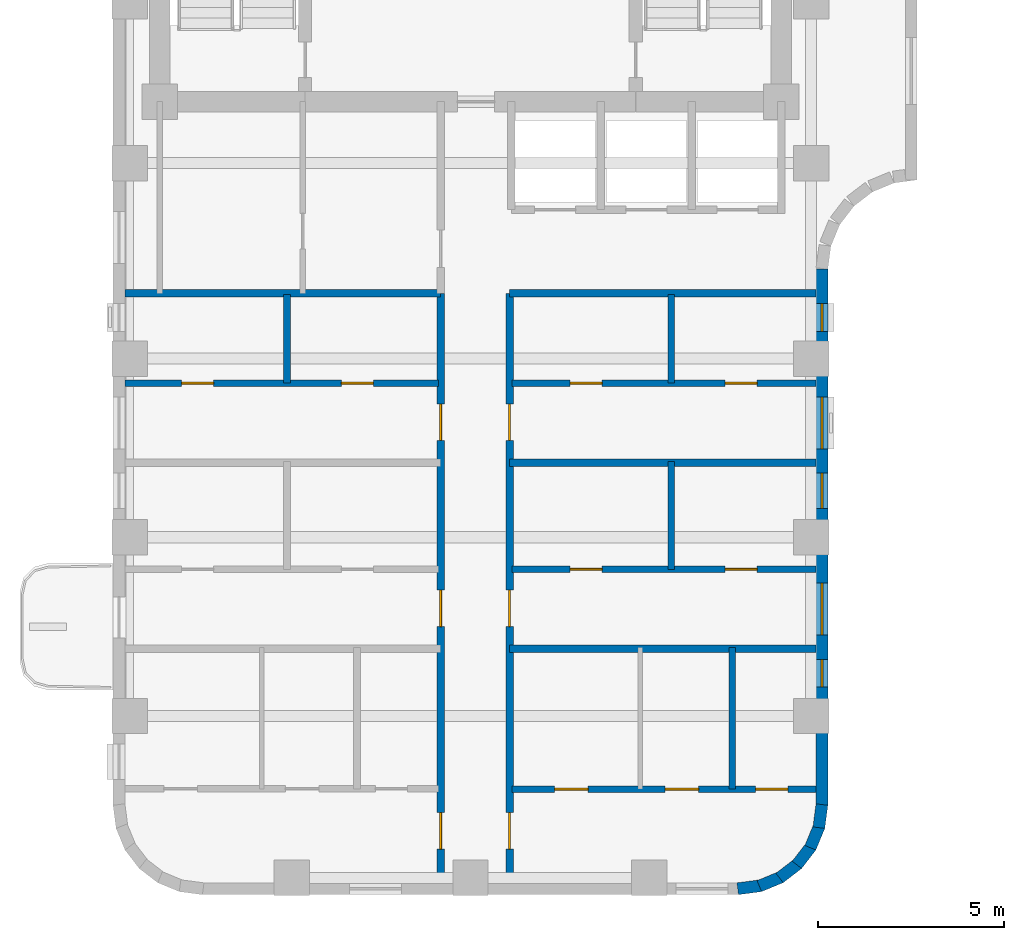
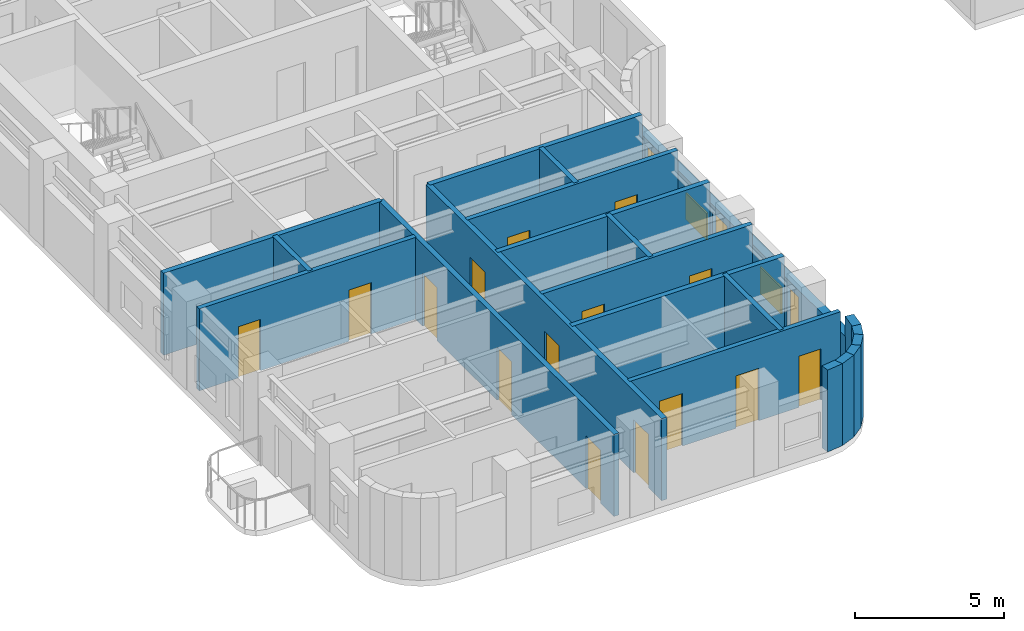
# One storey, part 4 of 11: 21 walls, 15 doors, 5 windows, 20 openings.
"""IFC4 building model written with IfcOpenShell, lengths in metres."""

from ifc_helpers import new_model, si_unit, direction, frame, frame_2d, origin, place, context, subcontext, project, spatial, rectangle, extrude, material, layer, layer_set, type_object, element, fill, save


model = new_model("IFC4")

# Units and contexts
model_context = context("Model", 3, precision=1e-05, world=origin(), true_north=direction((0.0, 1.0)))
body_context = subcontext(model_context, "Body", "Model", "MODEL_VIEW")
ifc_project = project(units=[si_unit("LENGTHUNIT", "METRE"), si_unit("AREAUNIT", "SQUARE_METRE"), si_unit("VOLUMEUNIT", "CUBIC_METRE"), si_unit("PLANEANGLEUNIT", "RADIAN"), si_unit("MASSUNIT", "GRAM", prefix="KILO")], contexts=[model_context])

# Site, building, storey
site_placement = place(None, origin())
site = spatial("IfcSite", under=ifc_project, at=site_placement, CompositionType="ELEMENT")
building_placement = place(site_placement, origin())
building = spatial("IfcBuilding", under=site, at=building_placement, Name="Orvandelia Arch Residences", CompositionType="ELEMENT")
storey_placement = place(building_placement, frame((0.0, 0.0, 164.800048828125)))
storey = spatial("IfcBuildingStorey", under=building, at=storey_placement, Name="L43", CompositionType="ELEMENT", Elevation=164.800048828125)

# Wall, openings, doors
ifc_material_1 = material(Name="Fire-Rated Corridor Partition")
ifc_layer_1 = layer(ifc_material_1, 0.199951171875, Name="Fire-Rated Corridor Partition")
ifc_layer_set_1 = layer_set([ifc_layer_1], Name="Fire-Rated Corridor Partition")
wall_type_1 = type_object("IfcWallType", Name="WL-CORR-200", PredefinedType="PARTITIONING", material=ifc_layer_set_1)
wall_1_placement = place(storey_placement, frame((13.60009765625, 9.919921875, 0.0), z_axis=(0.0, 0.0, 1.0), x_axis=(0.0, 1.0, 0.0)))
wall_1 = element("IfcWall", 1, at=wall_1_placement, inside=storey, type_object=wall_type_1, Name="Interior Partition Wall WL-L43-WC-W", PredefinedType="PARTITIONING", context=body_context, shape_type="SweptSolid", body=[
    extrude(rectangle(XDim=15.830078125, YDim=0.199951171875, at=frame_2d((7.9150390625, 0.0))), origin(), (0.0, 0.0, 1.0), 3.35986328125),
])
opening_1_placement = place(wall_1_placement, frame((0.902099609375, 0.0, 0.0)))
opening_1 = element("IfcOpeningElement", 2, at=opening_1_placement, cuts=wall_1, Name="Opening D1", PredefinedType="OPENING", context=body_context, shape_type="SweptSolid", body=[
    extrude(rectangle(XDim=0.97998046875, YDim=2.179931640625, at=frame_2d((0.489990234375, 1.08984375))), frame((0.0, 0.10986328125, 0.0), z_axis=(0.0, -1.0, 0.0), x_axis=(1.0, 0.0, 0.0)), (0.0, 0.0, 1.0), 0.219970703125),
])
opening_2_placement = place(wall_1_placement, frame((6.8798828125, 0.0, 0.0)))
opening_2 = element("IfcOpeningElement", 3, at=opening_2_placement, cuts=wall_1, Name="Opening D1", PredefinedType="OPENING", context=body_context, shape_type="SweptSolid", body=[
    extrude(rectangle(XDim=0.97998046875, YDim=2.179931640625, at=frame_2d((0.489990234375, 1.08984375))), frame((0.0, 0.10986328125, 0.0), z_axis=(0.0, -1.0, 0.0), x_axis=(1.0, 0.0, 0.0)), (0.0, 0.0, 1.0), 0.219970703125),
])
opening_3_placement = place(wall_1_placement, frame((11.8798828125, 0.0, 0.0)))
opening_3 = element("IfcOpeningElement", 4, at=opening_3_placement, cuts=wall_1, Name="Opening D1", PredefinedType="OPENING", context=body_context, shape_type="SweptSolid", body=[
    extrude(rectangle(XDim=0.97998046875, YDim=2.179931640625, at=frame_2d((0.489990234375, 1.08984375))), frame((0.0, 0.10986328125, 0.0), z_axis=(0.0, -1.0, 0.0), x_axis=(1.0, 0.0, 0.0)), (0.0, 0.0, 1.0), 0.219970703125),
])
ifc_material_2 = material(Name="Solid-Core Timber Acoustic Fire Door", Category="wood")
door_type_1 = type_object("IfcDoorType", Name="DR-ENT-980", OperationType="NOTDEFINED", PredefinedType="DOOR", material=ifc_material_2)
door_1_placement = place(opening_1_placement, origin())
door_1 = element("IfcDoor", 5, at=door_1_placement, inside=storey, type_object=door_type_1, Name="Unit L43-01 Entrance Door", OperationType="SINGLE_SWING_LEFT", OverallHeight=2.179931640625, OverallWidth=0.97998046875, PredefinedType="DOOR", context=body_context, shape_type="SweptSolid", body=[
    extrude(rectangle(XDim=0.97998046875, YDim=2.179931640625, at=frame_2d((0.489990234375, 1.08984375))), frame((0.0, 0.02490234375, 0.0), z_axis=(0.0, -1.0, 0.0), x_axis=(1.0, 0.0, 0.0)), (0.0, 0.0, 1.0), 0.050048828125),
])
fill(opening_1, door_1)
door_2_placement = place(opening_2_placement, origin())
door_2 = element("IfcDoor", 6, at=door_2_placement, inside=storey, type_object=door_type_1, Name="Unit L43-02 Entrance Door", OperationType="SINGLE_SWING_RIGHT", OverallHeight=2.179931640625, OverallWidth=0.97998046875, PredefinedType="DOOR", context=body_context, shape_type="SweptSolid", body=[
    extrude(rectangle(XDim=0.97998046875, YDim=2.179931640625, at=frame_2d((0.489990234375, 1.08984375))), frame((0.0, 0.02490234375, 0.0), z_axis=(0.0, -1.0, 0.0), x_axis=(1.0, 0.0, 0.0)), (0.0, 0.0, 1.0), 0.050048828125),
])
fill(opening_2, door_2)
door_3_placement = place(opening_3_placement, origin())
door_3 = element("IfcDoor", 7, at=door_3_placement, inside=storey, type_object=door_type_1, Name="Unit L43-03 Entrance Door", OperationType="SINGLE_SWING_LEFT", OverallHeight=2.179931640625, OverallWidth=0.97998046875, PredefinedType="DOOR", context=body_context, shape_type="SweptSolid", body=[
    extrude(rectangle(XDim=0.97998046875, YDim=2.179931640625, at=frame_2d((0.489990234375, 1.08984375))), frame((0.0, 0.02490234375, 0.0), z_axis=(0.0, -1.0, 0.0), x_axis=(1.0, 0.0, 0.0)), (0.0, 0.0, 1.0), 0.050048828125),
])
fill(opening_3, door_3)

wall_2_placement = place(storey_placement, frame((15.449951171875, 9.919921875, 0.0), z_axis=(0.0, 0.0, 1.0), x_axis=(0.0, 1.0, 0.0)))
wall_2 = element("IfcWall", 8, at=wall_2_placement, inside=storey, type_object=wall_type_1, Name="Interior Partition Wall WL-L43-WC-E", PredefinedType="PARTITIONING", context=body_context, shape_type="SweptSolid", body=[
    extrude(rectangle(XDim=15.830078125, YDim=0.199951171875, at=frame_2d((7.9150390625, 0.0))), origin(), (0.0, 0.0, 1.0), 3.35986328125),
])
opening_4_placement = place(wall_2_placement, frame((0.902099609375, 0.0, 0.0)))
opening_4 = element("IfcOpeningElement", 9, at=opening_4_placement, cuts=wall_2, Name="Opening D1", PredefinedType="OPENING", context=body_context, shape_type="SweptSolid", body=[
    extrude(rectangle(XDim=0.97998046875, YDim=2.179931640625, at=frame_2d((0.489990234375, 1.08984375))), frame((0.0, 0.10986328125, 0.0), z_axis=(0.0, -1.0, 0.0), x_axis=(1.0, 0.0, 0.0)), (0.0, 0.0, 1.0), 0.219970703125),
])
opening_5_placement = place(wall_2_placement, frame((6.8798828125, 0.0, 0.0)))
opening_5 = element("IfcOpeningElement", 10, at=opening_5_placement, cuts=wall_2, Name="Opening D1", PredefinedType="OPENING", context=body_context, shape_type="SweptSolid", body=[
    extrude(rectangle(XDim=0.97998046875, YDim=2.179931640625, at=frame_2d((0.489990234375, 1.08984375))), frame((0.0, 0.10986328125, 0.0), z_axis=(0.0, -1.0, 0.0), x_axis=(1.0, 0.0, 0.0)), (0.0, 0.0, 1.0), 0.219970703125),
])
opening_6_placement = place(wall_2_placement, frame((11.8798828125, 0.0, 0.0)))
opening_6 = element("IfcOpeningElement", 11, at=opening_6_placement, cuts=wall_2, Name="Opening D1", PredefinedType="OPENING", context=body_context, shape_type="SweptSolid", body=[
    extrude(rectangle(XDim=0.97998046875, YDim=2.179931640625, at=frame_2d((0.489990234375, 1.08984375))), frame((0.0, 0.10986328125, 0.0), z_axis=(0.0, -1.0, 0.0), x_axis=(1.0, 0.0, 0.0)), (0.0, 0.0, 1.0), 0.219970703125),
])
door_4_placement = place(opening_4_placement, origin())
door_4 = element("IfcDoor", 12, at=door_4_placement, inside=storey, type_object=door_type_1, Name="Unit L43-04 Entrance Door", OperationType="SINGLE_SWING_RIGHT", OverallHeight=2.179931640625, OverallWidth=0.97998046875, PredefinedType="DOOR", context=body_context, shape_type="SweptSolid", body=[
    extrude(rectangle(XDim=0.97998046875, YDim=2.179931640625, at=frame_2d((0.489990234375, 1.08984375))), frame((0.0, 0.02490234375, 0.0), z_axis=(0.0, -1.0, 0.0), x_axis=(1.0, 0.0, 0.0)), (0.0, 0.0, 1.0), 0.050048828125),
])
fill(opening_4, door_4)
door_5_placement = place(opening_5_placement, origin())
door_5 = element("IfcDoor", 13, at=door_5_placement, inside=storey, type_object=door_type_1, Name="Unit L43-05 Entrance Door", OperationType="SINGLE_SWING_LEFT", OverallHeight=2.179931640625, OverallWidth=0.97998046875, PredefinedType="DOOR", context=body_context, shape_type="SweptSolid", body=[
    extrude(rectangle(XDim=0.97998046875, YDim=2.179931640625, at=frame_2d((0.489990234375, 1.08984375))), frame((0.0, 0.02490234375, 0.0), z_axis=(0.0, -1.0, 0.0), x_axis=(1.0, 0.0, 0.0)), (0.0, 0.0, 1.0), 0.050048828125),
])
fill(opening_5, door_5)
door_6_placement = place(opening_6_placement, origin())
door_6 = element("IfcDoor", 14, at=door_6_placement, inside=storey, type_object=door_type_1, Name="Unit L43-06 Entrance Door", OperationType="SINGLE_SWING_RIGHT", OverallHeight=2.179931640625, OverallWidth=0.97998046875, PredefinedType="DOOR", context=body_context, shape_type="SweptSolid", body=[
    extrude(rectangle(XDim=0.97998046875, YDim=2.179931640625, at=frame_2d((0.489990234375, 1.08984375))), frame((0.0, 0.02490234375, 0.0), z_axis=(0.0, -1.0, 0.0), x_axis=(1.0, 0.0, 0.0)), (0.0, 0.0, 1.0), 0.050048828125),
])
fill(opening_6, door_6)

# Walls
wall_3_placement = place(storey_placement, frame((5.1201171875, 25.75, 0.0), z_axis=(0.0, 0.0, 1.0), x_axis=(1.0, 0.0, 0.0)))
element("IfcWall", 15, at=wall_3_placement, inside=storey, type_object=wall_type_1, Name="Interior Partition Wall WL-L43-WCLS-W", PredefinedType="PARTITIONING", context=body_context, shape_type="SweptSolid", body=[
    extrude(rectangle(XDim=8.47998046875, YDim=0.199951171875, at=frame_2d((4.239990234375, 0.0))), origin(), (0.0, 0.0, 1.0), 3.35986328125),
])
wall_4_placement = place(storey_placement, frame((15.449951171875, 25.75, 0.0), z_axis=(0.0, 0.0, 1.0), x_axis=(1.0, 0.0, 0.0)))
element("IfcWall", 16, at=wall_4_placement, inside=storey, type_object=wall_type_1, Name="Interior Partition Wall WL-L43-WCLS-E", PredefinedType="PARTITIONING", context=body_context, shape_type="SweptSolid", body=[
    extrude(rectangle(XDim=8.22998046875, YDim=0.199951171875, at=frame_2d((4.114990234375, 0.0))), origin(), (0.0, 0.0, 1.0), 3.35986328125),
])
ifc_material_3 = material(Name="Concrete C40/50", Category="concrete")
ifc_layer_2 = layer(ifc_material_3, 0.199951171875, Name="Concrete C40/50", Category="concrete")
ifc_layer_set_2 = layer_set([ifc_layer_2], Name="Concrete C40/50")
wall_type_2 = type_object("IfcWallType", Name="WL-DEM-200", PredefinedType="SOLIDWALL", material=ifc_layer_set_2)
for number, where, z_axis, x_axis, name in (
    (17, (15.449951171875, 16.199951171875, 0.0), (0.0, 0.0, 1.0), (1.0, 0.0, 0.0), "Interior Partition Wall WL-L43-DEM-WR-162"),
    (18, (15.449951171875, 21.199951171875, 0.0), (0.0, 0.0, 1.0), (1.0, 0.0, 0.0), "Interior Partition Wall WL-L43-DEM-WR-212"),
):
    element("IfcWall", number, at=place(storey_placement, frame(where, z_axis=z_axis, x_axis=x_axis)), inside=storey, type_object=wall_type_2, Name=name, PredefinedType="SOLIDWALL", context=body_context, shape_type="SweptSolid", body=[
        extrude(rectangle(XDim=8.22998046875, YDim=0.199951171875, at=frame_2d((4.114990234375, 0.0))), origin(), (0.0, 0.0, 1.0), 3.35986328125),
    ])

# Wall, openings, windows
ifc_material_4 = material(Name="Precast concrete C40/50", Category="concrete")
ifc_layer_3 = layer(ifc_material_4, 0.320068359375, Name="Precast concrete C40/50", Category="concrete")
ifc_layer_set_3 = layer_set([ifc_layer_3], Name="Precast concrete C40/50")
wall_type_3 = type_object("IfcWallType", Name="WL-EXT-STONE-320", PredefinedType="STANDARD", material=ifc_layer_set_3)
wall_5_placement = place(storey_placement, frame((23.840087890625, 26.39990234375, 0.0), z_axis=(0.0, 0.0, 1.0), x_axis=(0.0, -1.0, 0.0)))
wall_5 = element("IfcWall", 19, at=wall_5_placement, inside=storey, type_object=wall_type_3, Name="Coral-Limestone Precast Facade Wall L43-032", PredefinedType="STANDARD", context=body_context, shape_type="SweptSolid", body=[
    extrude(rectangle(XDim=14.39990234375, YDim=0.320068359375, at=frame_2d((7.199951171875, 0.0))), origin(), (0.0, 0.0, 1.0), 2.5400390625),
])
opening_7_placement = place(wall_5_placement, frame((8.429931640625, 0.0, 0.64990234375)))
opening_7 = element("IfcOpeningElement", 20, at=opening_7_placement, cuts=wall_5, Name="Opening W10", PredefinedType="OPENING", context=body_context, shape_type="SweptSolid", body=[
    extrude(rectangle(XDim=1.39990234375, YDim=1.10009765625, at=frame_2d((0.699951171875, 0.550048828125))), frame((0.0, 0.169921875, 0.0), z_axis=(0.0, -1.0, 0.0), x_axis=(1.0, 0.0, 0.0)), (0.0, 0.0, 1.0), 0.340087890625),
])
opening_8_placement = place(wall_5_placement, frame((3.429931640625, 0.0, 0.64990234375)))
opening_8 = element("IfcOpeningElement", 21, at=opening_8_placement, cuts=wall_5, Name="Opening W10", PredefinedType="OPENING", context=body_context, shape_type="SweptSolid", body=[
    extrude(rectangle(XDim=1.39990234375, YDim=1.10009765625, at=frame_2d((0.699951171875, 0.550048828125))), frame((0.0, 0.169921875, 0.0), z_axis=(0.0, -1.0, 0.0), x_axis=(1.0, 0.0, 0.0)), (0.0, 0.0, 1.0), 0.340087890625),
])
opening_9_placement = place(wall_5_placement, frame((10.4775390625, 0.0, 0.449951171875)))
opening_9 = element("IfcOpeningElement", 22, at=opening_9_placement, cuts=wall_5, Name="Opening W11", PredefinedType="OPENING", context=body_context, shape_type="SweptSolid", body=[
    extrude(rectangle(XDim=0.75, YDim=1.800048828125, at=frame_2d((0.375, 0.89990234375))), frame((0.0, 0.169921875, 0.0), z_axis=(0.0, -1.0, 0.0), x_axis=(1.0, 0.0, 0.0)), (0.0, 0.0, 1.0), 0.340087890625),
])
opening_10_placement = place(wall_5_placement, frame((5.4775390625, 0.0, 0.449951171875)))
opening_10 = element("IfcOpeningElement", 23, at=opening_10_placement, cuts=wall_5, Name="Opening W4", PredefinedType="OPENING", context=body_context, shape_type="SweptSolid", body=[
    extrude(rectangle(XDim=0.949951171875, YDim=1.800048828125, at=frame_2d((0.47509765625, 0.89990234375))), frame((0.0, 0.169921875, 0.0), z_axis=(0.0, -1.0, 0.0), x_axis=(1.0, 0.0, 0.0)), (0.0, 0.0, 1.0), 0.340087890625),
])
opening_11_placement = place(wall_5_placement, frame((0.91748046875, 0.0, 0.449951171875)))
opening_11 = element("IfcOpeningElement", 24, at=opening_11_placement, cuts=wall_5, Name="Opening W11", PredefinedType="OPENING", context=body_context, shape_type="SweptSolid", body=[
    extrude(rectangle(XDim=0.75, YDim=1.800048828125, at=frame_2d((0.375, 0.89990234375))), frame((0.0, 0.169921875, 0.0), z_axis=(0.0, -1.0, 0.0), x_axis=(1.0, 0.0, 0.0)), (0.0, 0.0, 1.0), 0.340087890625),
])
ifc_material_5 = material(Name="Tempered Low-E Insulated Glazing", Category="glass")
window_type_1 = type_object("IfcWindowType", Name="WIN-BED-0750x1800", PartitioningType="SINGLE_PANEL", PredefinedType="WINDOW", material=ifc_material_5)
window_1_placement = place(opening_9_placement, origin())
window_1 = element("IfcWindow", 25, at=window_1_placement, inside=storey, type_object=window_type_1, Name="Recessed Punched Window L43-019", OverallHeight=1.800048828125, OverallWidth=0.75, PartitioningType="SINGLE_PANEL", PredefinedType="WINDOW", context=body_context, shape_type="SweptSolid", body=[
    extrude(rectangle(XDim=0.75, YDim=1.800048828125, at=frame_2d((0.375, 0.89990234375))), frame((0.0, 0.030029296875, 0.0), z_axis=(0.0, -1.0, 0.0), x_axis=(1.0, 0.0, 0.0)), (0.0, 0.0, 1.0), 0.06005859375),
])
fill(opening_9, window_1)
window_2_placement = place(opening_11_placement, origin())
window_2 = element("IfcWindow", 26, at=window_2_placement, inside=storey, type_object=window_type_1, Name="Recessed Punched Window L43-021", OverallHeight=1.800048828125, OverallWidth=0.75, PartitioningType="SINGLE_PANEL", PredefinedType="WINDOW", context=body_context, shape_type="SweptSolid", body=[
    extrude(rectangle(XDim=0.75, YDim=1.800048828125, at=frame_2d((0.375, 0.89990234375))), frame((0.0, 0.030029296875, 0.0), z_axis=(0.0, -1.0, 0.0), x_axis=(1.0, 0.0, 0.0)), (0.0, 0.0, 1.0), 0.06005859375),
])
fill(opening_11, window_2)
window_type_2 = type_object("IfcWindowType", Name="WIN-CLR-1400x1100", PartitioningType="SINGLE_PANEL", PredefinedType="WINDOW", material=ifc_material_5)
window_3_placement = place(opening_7_placement, origin())
window_3 = element("IfcWindow", 27, at=window_3_placement, inside=storey, type_object=window_type_2, Name="Recessed Punched Window L43-017", OverallHeight=1.10009765625, OverallWidth=1.39990234375, PartitioningType="SINGLE_PANEL", PredefinedType="WINDOW", context=body_context, shape_type="SweptSolid", body=[
    extrude(rectangle(XDim=1.39990234375, YDim=1.10009765625, at=frame_2d((0.699951171875, 0.550048828125))), frame((0.0, 0.030029296875, 0.0), z_axis=(0.0, -1.0, 0.0), x_axis=(1.0, 0.0, 0.0)), (0.0, 0.0, 1.0), 0.06005859375),
])
fill(opening_7, window_3)
window_4_placement = place(opening_8_placement, origin())
window_4 = element("IfcWindow", 28, at=window_4_placement, inside=storey, type_object=window_type_2, Name="Recessed Punched Window L43-018", OverallHeight=1.10009765625, OverallWidth=1.39990234375, PartitioningType="SINGLE_PANEL", PredefinedType="WINDOW", context=body_context, shape_type="SweptSolid", body=[
    extrude(rectangle(XDim=1.39990234375, YDim=1.10009765625, at=frame_2d((0.699951171875, 0.550048828125))), frame((0.0, 0.030029296875, 0.0), z_axis=(0.0, -1.0, 0.0), x_axis=(1.0, 0.0, 0.0)), (0.0, 0.0, 1.0), 0.06005859375),
])
fill(opening_8, window_4)
window_type_3 = type_object("IfcWindowType", Name="WIN-RES-0950x1800", PartitioningType="SINGLE_PANEL", PredefinedType="WINDOW", material=ifc_material_5)
window_5_placement = place(opening_10_placement, origin())
window_5 = element("IfcWindow", 29, at=window_5_placement, inside=storey, type_object=window_type_3, Name="Recessed Punched Window L43-020", OverallHeight=1.800048828125, OverallWidth=0.949951171875, PartitioningType="SINGLE_PANEL", PredefinedType="WINDOW", context=body_context, shape_type="SweptSolid", body=[
    extrude(rectangle(XDim=0.949951171875, YDim=1.800048828125, at=frame_2d((0.47509765625, 0.89990234375))), frame((0.0, 0.030029296875, 0.0), z_axis=(0.0, -1.0, 0.0), x_axis=(1.0, 0.0, 0.0)), (0.0, 0.0, 1.0), 0.06005859375),
])
fill(opening_10, window_5)

# Walls
wall_6_placement = place(storey_placement, frame((23.84130859375, 12.02099609375, 0.0), z_axis=(0.0, 0.0, 1.0), x_axis=(-0.130504898859, -0.991447664465, 0.0)))
element("IfcWall", 30, at=wall_6_placement, inside=storey, type_object=wall_type_3, Name="Coral-Limestone Precast Facade Wall L43-033", PredefinedType="STANDARD", context=body_context, shape_type="SweptSolid", body=[
    extrude(rectangle(XDim=0.626708984375, YDim=0.320068359375, at=frame_2d((0.3134765625, 0.0))), origin(), (0.0, 0.0, 1.0), 3.35986328125),
])
for number, where, z_axis, x_axis, name in (
    (31, (23.7705078125, 11.43994140625, 0.0), (0.0, 0.0, 1.0), (-0.382650053678, -0.92389335771, 0.0), "Coral-Limestone Precast Facade Wall L43-034"),
    (32, (23.551513671875, 10.8974609375, 0.0), (0.0, 0.0, 1.0), (-0.608693302629, -0.793405610854, 0.0), "Coral-Limestone Precast Facade Wall L43-035"),
    (33, (23.19970703125, 10.4296875, 0.0), (0.0, 0.0, 1.0), (-0.793405610854, -0.608693302629, 0.0), "Coral-Limestone Precast Facade Wall L43-036"),
    (34, (22.73876953125, 10.0693359375, 0.0), (0.0, 0.0, 1.0), (-0.92389335771, -0.382650053678, 0.0), "Coral-Limestone Precast Facade Wall L43-037"),
    (35, (22.2001953125, 9.84033203125, 0.0), (0.0, 0.0, 1.0), (-0.9914410257, -0.130555323746, 0.0), "Coral-Limestone Precast Facade Wall L43-038"),
):
    element("IfcWall", number, at=place(storey_placement, frame(where, z_axis=z_axis, x_axis=x_axis)), inside=storey, type_object=wall_type_3, Name=name, PredefinedType="STANDARD", context=body_context, shape_type="SweptSolid", body=[
        extrude(rectangle(XDim=0.62646484375, YDim=0.320068359375, at=frame_2d((0.313232421875, 0.0))), origin(), (0.0, 0.0, 1.0), 3.35986328125),
    ])

# Wall, openings, doors
ifc_material_6 = material(Name="Moisture-Resistant Plumbing Wall")
ifc_layer_4 = layer(ifc_material_6, 0.179931640625, Name="Moisture-Resistant Plumbing Wall")
ifc_layer_set_4 = layer_set([ifc_layer_4], Name="Moisture-Resistant Plumbing Wall")
wall_type_4 = type_object("IfcWallType", Name="WL-WET-180", PredefinedType="PLUMBINGWALL", material=ifc_layer_set_4)
wall_7_placement = place(storey_placement, frame((5.1201171875, 23.340087890625, 0.0), z_axis=(0.0, 0.0, 1.0), x_axis=(1.0, 0.0, 0.0)))
wall_7 = element("IfcWall", 36, at=wall_7_placement, inside=storey, type_object=wall_type_4, Name="Interior Partition Wall WL-L43-U03-HZ", PredefinedType="PLUMBINGWALL", context=body_context, shape_type="SweptSolid", body=[
    extrude(rectangle(XDim=8.419921875, YDim=0.179931640625, at=frame_2d((4.2099609375, 0.0))), origin(), (0.0, 0.0, 1.0), 3.35986328125),
])
opening_12_placement = place(wall_7_placement, frame((1.52001953125, 0.0, 0.0)))
opening_12 = element("IfcOpeningElement", 37, at=opening_12_placement, cuts=wall_7, Name="Opening D4", PredefinedType="OPENING", context=body_context, shape_type="SweptSolid", body=[
    extrude(rectangle(XDim=0.860107421875, YDim=2.10009765625, at=frame_2d((0.43017578125, 1.050048828125))), frame((0.0, 0.10009765625, 0.0), z_axis=(0.0, -1.0, 0.0), x_axis=(1.0, 0.0, 0.0)), (0.0, 0.0, 1.0), 0.199951171875),
])
opening_13_placement = place(wall_7_placement, frame((5.81005859375, 0.0, 0.0)))
opening_13 = element("IfcOpeningElement", 38, at=opening_13_placement, cuts=wall_7, Name="Opening D4", PredefinedType="OPENING", context=body_context, shape_type="SweptSolid", body=[
    extrude(rectangle(XDim=0.860107421875, YDim=2.10009765625, at=frame_2d((0.43017578125, 1.050048828125))), frame((0.0, 0.10009765625, 0.0), z_axis=(0.0, -1.0, 0.0), x_axis=(1.0, 0.0, 0.0)), (0.0, 0.0, 1.0), 0.199951171875),
])
ifc_material_7 = material(Name="Moisture-Sealed Timber Bathroom Door", Category="wood")
door_type_2 = type_object("IfcDoorType", Name="DR-WET-900", OperationType="NOTDEFINED", PredefinedType="DOOR", material=ifc_material_7)
door_7_placement = place(opening_12_placement, origin())
door_7 = element("IfcDoor", 39, at=door_7_placement, inside=storey, type_object=door_type_2, Name="DR-L43-U03-KIT", OperationType="SINGLE_SWING_LEFT", OverallHeight=2.10009765625, OverallWidth=0.860107421875, PredefinedType="DOOR", context=body_context, shape_type="SweptSolid", body=[
    extrude(rectangle(XDim=0.860107421875, YDim=2.10009765625, at=frame_2d((0.43017578125, 1.050048828125))), frame((0.0, 0.02490234375, 0.0), z_axis=(0.0, -1.0, 0.0), x_axis=(1.0, 0.0, 0.0)), (0.0, 0.0, 1.0), 0.050048828125),
])
fill(opening_12, door_7)
door_8_placement = place(opening_13_placement, origin())
door_8 = element("IfcDoor", 40, at=door_8_placement, inside=storey, type_object=door_type_2, Name="DR-L43-U03-BTH", OperationType="SINGLE_SWING_RIGHT", OverallHeight=2.10009765625, OverallWidth=0.860107421875, PredefinedType="DOOR", context=body_context, shape_type="SweptSolid", body=[
    extrude(rectangle(XDim=0.860107421875, YDim=2.10009765625, at=frame_2d((0.43017578125, 1.050048828125))), frame((0.0, 0.02490234375, 0.0), z_axis=(0.0, -1.0, 0.0), x_axis=(1.0, 0.0, 0.0)), (0.0, 0.0, 1.0), 0.050048828125),
])
fill(opening_13, door_8)

# Wall
wall_8_placement = place(storey_placement, frame((9.469970703125, 23.340087890625, 0.0), z_axis=(0.0, 0.0, 1.0), x_axis=(0.0, 1.0, 0.0)))
element("IfcWall", 41, at=wall_8_placement, inside=storey, type_object=wall_type_4, Name="Interior Partition Wall WL-L43-U03-V1", PredefinedType="PLUMBINGWALL", context=body_context, shape_type="SweptSolid", body=[
    extrude(rectangle(XDim=2.3798828125, YDim=0.179931640625, at=frame_2d((1.18994140625, 0.0))), origin(), (0.0, 0.0, 1.0), 3.35986328125),
])

# Wall, openings, doors
wall_9_placement = place(storey_placement, frame((15.510009765625, 12.43408203125, 0.0), z_axis=(0.0, 0.0, 1.0), x_axis=(1.0, 0.0, 0.0)))
wall_9 = element("IfcWall", 42, at=wall_9_placement, inside=storey, type_object=wall_type_4, Name="Interior Partition Wall WL-L43-U04-HZ", PredefinedType="PLUMBINGWALL", context=body_context, shape_type="SweptSolid", body=[
    extrude(rectangle(XDim=8.169921875, YDim=0.179931640625, at=frame_2d((4.0849609375, 0.0))), origin(), (0.0, 0.0, 1.0), 3.35986328125),
])
opening_14_placement = place(wall_9_placement, frame((1.153564453125, 0.0, 0.0)))
opening_14 = element("IfcOpeningElement", 43, at=opening_14_placement, cuts=wall_9, Name="Opening D3", PredefinedType="OPENING", context=body_context, shape_type="SweptSolid", body=[
    extrude(rectangle(XDim=0.89990234375, YDim=2.14990234375, at=frame_2d((0.449951171875, 1.074951171875))), frame((0.0, 0.10009765625, 0.0), z_axis=(0.0, -1.0, 0.0), x_axis=(1.0, 0.0, 0.0)), (0.0, 0.0, 1.0), 0.199951171875),
])
opening_15_placement = place(wall_9_placement, frame((4.116455078125, 0.0, 0.0)))
opening_15 = element("IfcOpeningElement", 44, at=opening_15_placement, cuts=wall_9, Name="Opening D3", PredefinedType="OPENING", context=body_context, shape_type="SweptSolid", body=[
    extrude(rectangle(XDim=0.89990234375, YDim=2.14990234375, at=frame_2d((0.449951171875, 1.074951171875))), frame((0.0, 0.10009765625, 0.0), z_axis=(0.0, -1.0, 0.0), x_axis=(1.0, 0.0, 0.0)), (0.0, 0.0, 1.0), 0.199951171875),
])
opening_16_placement = place(wall_9_placement, frame((6.552978515625, 0.0, 0.0)))
opening_16 = element("IfcOpeningElement", 45, at=opening_16_placement, cuts=wall_9, Name="Opening D4", PredefinedType="OPENING", context=body_context, shape_type="SweptSolid", body=[
    extrude(rectangle(XDim=0.860107421875, YDim=2.10009765625, at=frame_2d((0.43017578125, 1.050048828125))), frame((0.0, 0.10009765625, 0.0), z_axis=(0.0, -1.0, 0.0), x_axis=(1.0, 0.0, 0.0)), (0.0, 0.0, 1.0), 0.199951171875),
])
ifc_material_8 = material(Name="Engineered Timber Flush Door", Category="wood")
door_type_3 = type_object("IfcDoorType", Name="DR-INT-900", OperationType="NOTDEFINED", PredefinedType="DOOR", material=ifc_material_8)
door_9_placement = place(opening_14_placement, origin())
door_9 = element("IfcDoor", 46, at=door_9_placement, inside=storey, type_object=door_type_3, Name="DR-L43-U04-STDY", OperationType="SINGLE_SWING_RIGHT", OverallHeight=2.14990234375, OverallWidth=0.89990234375, PredefinedType="DOOR", context=body_context, shape_type="SweptSolid", body=[
    extrude(rectangle(XDim=0.89990234375, YDim=2.14990234375, at=frame_2d((0.449951171875, 1.074951171875))), frame((0.0, 0.02490234375, 0.0), z_axis=(0.0, -1.0, 0.0), x_axis=(1.0, 0.0, 0.0)), (0.0, 0.0, 1.0), 0.050048828125),
])
fill(opening_14, door_9)
door_10_placement = place(opening_15_placement, origin())
door_10 = element("IfcDoor", 47, at=door_10_placement, inside=storey, type_object=door_type_3, Name="DR-L43-U04-KIT", OperationType="SINGLE_SWING_LEFT", OverallHeight=2.14990234375, OverallWidth=0.89990234375, PredefinedType="DOOR", context=body_context, shape_type="SweptSolid", body=[
    extrude(rectangle(XDim=0.89990234375, YDim=2.14990234375, at=frame_2d((0.449951171875, 1.074951171875))), frame((0.0, 0.02490234375, 0.0), z_axis=(0.0, -1.0, 0.0), x_axis=(1.0, 0.0, 0.0)), (0.0, 0.0, 1.0), 0.050048828125),
])
fill(opening_15, door_10)
door_11_placement = place(opening_16_placement, origin())
door_11 = element("IfcDoor", 48, at=door_11_placement, inside=storey, type_object=door_type_2, Name="DR-L43-U04-BTH", OperationType="SINGLE_SWING_RIGHT", OverallHeight=2.10009765625, OverallWidth=0.860107421875, PredefinedType="DOOR", context=body_context, shape_type="SweptSolid", body=[
    extrude(rectangle(XDim=0.860107421875, YDim=2.10009765625, at=frame_2d((0.43017578125, 1.050048828125))), frame((0.0, 0.02490234375, 0.0), z_axis=(0.0, -1.0, 0.0), x_axis=(1.0, 0.0, 0.0)), (0.0, 0.0, 1.0), 0.050048828125),
])
fill(opening_16, door_11)

# Wall
wall_10_placement = place(storey_placement, frame((21.43603515625, 12.43408203125, 0.0), z_axis=(0.0, 0.0, 1.0), x_axis=(0.0, 1.0, 0.0)))
element("IfcWall", 49, at=wall_10_placement, inside=storey, type_object=wall_type_4, Name="Interior Partition Wall WL-L43-U04-V2", PredefinedType="PLUMBINGWALL", context=body_context, shape_type="SweptSolid", body=[
    extrude(rectangle(XDim=3.805908203125, YDim=0.179931640625, at=frame_2d((1.90283203125, 0.0))), origin(), (0.0, 0.0, 1.0), 3.35986328125),
])

# Wall, openings, doors
wall_11_placement = place(storey_placement, frame((15.510009765625, 18.340087890625, 0.0), z_axis=(0.0, 0.0, 1.0), x_axis=(1.0, 0.0, 0.0)))
wall_11 = element("IfcWall", 50, at=wall_11_placement, inside=storey, type_object=wall_type_4, Name="Interior Partition Wall WL-L43-U05-HZ", PredefinedType="PLUMBINGWALL", context=body_context, shape_type="SweptSolid", body=[
    extrude(rectangle(XDim=8.169921875, YDim=0.179931640625, at=frame_2d((4.0849609375, 0.0))), origin(), (0.0, 0.0, 1.0), 3.35986328125),
])
opening_17_placement = place(wall_11_placement, frame((1.56494140625, 0.0, 0.0)))
opening_17 = element("IfcOpeningElement", 51, at=opening_17_placement, cuts=wall_11, Name="Opening D4", PredefinedType="OPENING", context=body_context, shape_type="SweptSolid", body=[
    extrude(rectangle(XDim=0.860107421875, YDim=2.10009765625, at=frame_2d((0.43017578125, 1.050048828125))), frame((0.0, 0.10009765625, 0.0), z_axis=(0.0, -1.0, 0.0), x_axis=(1.0, 0.0, 0.0)), (0.0, 0.0, 1.0), 0.199951171875),
])
opening_18_placement = place(wall_11_placement, frame((5.72998046875, 0.0, 0.0)))
opening_18 = element("IfcOpeningElement", 52, at=opening_18_placement, cuts=wall_11, Name="Opening D4", PredefinedType="OPENING", context=body_context, shape_type="SweptSolid", body=[
    extrude(rectangle(XDim=0.860107421875, YDim=2.10009765625, at=frame_2d((0.43017578125, 1.050048828125))), frame((0.0, 0.10009765625, 0.0), z_axis=(0.0, -1.0, 0.0), x_axis=(1.0, 0.0, 0.0)), (0.0, 0.0, 1.0), 0.199951171875),
])
door_12_placement = place(opening_17_placement, origin())
door_12 = element("IfcDoor", 53, at=door_12_placement, inside=storey, type_object=door_type_2, Name="DR-L43-U05-KIT", OperationType="SINGLE_SWING_LEFT", OverallHeight=2.10009765625, OverallWidth=0.860107421875, PredefinedType="DOOR", context=body_context, shape_type="SweptSolid", body=[
    extrude(rectangle(XDim=0.860107421875, YDim=2.10009765625, at=frame_2d((0.43017578125, 1.050048828125))), frame((0.0, 0.02490234375, 0.0), z_axis=(0.0, -1.0, 0.0), x_axis=(1.0, 0.0, 0.0)), (0.0, 0.0, 1.0), 0.050048828125),
])
fill(opening_17, door_12)
door_13_placement = place(opening_18_placement, origin())
door_13 = element("IfcDoor", 54, at=door_13_placement, inside=storey, type_object=door_type_2, Name="DR-L43-U05-BTH", OperationType="SINGLE_SWING_RIGHT", OverallHeight=2.10009765625, OverallWidth=0.860107421875, PredefinedType="DOOR", context=body_context, shape_type="SweptSolid", body=[
    extrude(rectangle(XDim=0.860107421875, YDim=2.10009765625, at=frame_2d((0.43017578125, 1.050048828125))), frame((0.0, 0.02490234375, 0.0), z_axis=(0.0, -1.0, 0.0), x_axis=(1.0, 0.0, 0.0)), (0.0, 0.0, 1.0), 0.050048828125),
])
fill(opening_18, door_13)

# Wall
wall_12_placement = place(storey_placement, frame((19.7900390625, 18.340087890625, 0.0), z_axis=(0.0, 0.0, 1.0), x_axis=(0.0, 1.0, 0.0)))
element("IfcWall", 55, at=wall_12_placement, inside=storey, type_object=wall_type_4, Name="Interior Partition Wall WL-L43-U05-V1", PredefinedType="PLUMBINGWALL", context=body_context, shape_type="SweptSolid", body=[
    extrude(rectangle(XDim=2.89990234375, YDim=0.179931640625, at=frame_2d((1.449951171875, 0.0))), origin(), (0.0, 0.0, 1.0), 3.35986328125),
])

# Wall, openings, doors
wall_13_placement = place(storey_placement, frame((15.510009765625, 23.340087890625, 0.0), z_axis=(0.0, 0.0, 1.0), x_axis=(1.0, 0.0, 0.0)))
wall_13 = element("IfcWall", 56, at=wall_13_placement, inside=storey, type_object=wall_type_4, Name="Interior Partition Wall WL-L43-U06-HZ", PredefinedType="PLUMBINGWALL", context=body_context, shape_type="SweptSolid", body=[
    extrude(rectangle(XDim=8.169921875, YDim=0.179931640625, at=frame_2d((4.0849609375, 0.0))), origin(), (0.0, 0.0, 1.0), 3.35986328125),
])
opening_19_placement = place(wall_13_placement, frame((1.56494140625, 0.0, 0.0)))
opening_19 = element("IfcOpeningElement", 57, at=opening_19_placement, cuts=wall_13, Name="Opening D4", PredefinedType="OPENING", context=body_context, shape_type="SweptSolid", body=[
    extrude(rectangle(XDim=0.860107421875, YDim=2.10009765625, at=frame_2d((0.43017578125, 1.050048828125))), frame((0.0, 0.10009765625, 0.0), z_axis=(0.0, -1.0, 0.0), x_axis=(1.0, 0.0, 0.0)), (0.0, 0.0, 1.0), 0.199951171875),
])
opening_20_placement = place(wall_13_placement, frame((5.72998046875, 0.0, 0.0)))
opening_20 = element("IfcOpeningElement", 58, at=opening_20_placement, cuts=wall_13, Name="Opening D4", PredefinedType="OPENING", context=body_context, shape_type="SweptSolid", body=[
    extrude(rectangle(XDim=0.860107421875, YDim=2.10009765625, at=frame_2d((0.43017578125, 1.050048828125))), frame((0.0, 0.10009765625, 0.0), z_axis=(0.0, -1.0, 0.0), x_axis=(1.0, 0.0, 0.0)), (0.0, 0.0, 1.0), 0.199951171875),
])
door_14_placement = place(opening_19_placement, origin())
door_14 = element("IfcDoor", 59, at=door_14_placement, inside=storey, type_object=door_type_2, Name="DR-L43-U06-KIT", OperationType="SINGLE_SWING_RIGHT", OverallHeight=2.10009765625, OverallWidth=0.860107421875, PredefinedType="DOOR", context=body_context, shape_type="SweptSolid", body=[
    extrude(rectangle(XDim=0.860107421875, YDim=2.10009765625, at=frame_2d((0.43017578125, 1.050048828125))), frame((0.0, 0.02490234375, 0.0), z_axis=(0.0, -1.0, 0.0), x_axis=(1.0, 0.0, 0.0)), (0.0, 0.0, 1.0), 0.050048828125),
])
fill(opening_19, door_14)
door_15_placement = place(opening_20_placement, origin())
door_15 = element("IfcDoor", 60, at=door_15_placement, inside=storey, type_object=door_type_2, Name="DR-L43-U06-BTH", OperationType="SINGLE_SWING_LEFT", OverallHeight=2.10009765625, OverallWidth=0.860107421875, PredefinedType="DOOR", context=body_context, shape_type="SweptSolid", body=[
    extrude(rectangle(XDim=0.860107421875, YDim=2.10009765625, at=frame_2d((0.43017578125, 1.050048828125))), frame((0.0, 0.02490234375, 0.0), z_axis=(0.0, -1.0, 0.0), x_axis=(1.0, 0.0, 0.0)), (0.0, 0.0, 1.0), 0.050048828125),
])
fill(opening_20, door_15)

# Wall
wall_14_placement = place(storey_placement, frame((19.7900390625, 23.340087890625, 0.0), z_axis=(0.0, 0.0, 1.0), x_axis=(0.0, 1.0, 0.0)))
element("IfcWall", 61, at=wall_14_placement, inside=storey, type_object=wall_type_4, Name="Interior Partition Wall WL-L43-U06-V1", PredefinedType="PLUMBINGWALL", context=body_context, shape_type="SweptSolid", body=[
    extrude(rectangle(XDim=2.3798828125, YDim=0.179931640625, at=frame_2d((1.18994140625, 0.0))), origin(), (0.0, 0.0, 1.0), 3.35986328125),
])

save(model, "model.ifc")
